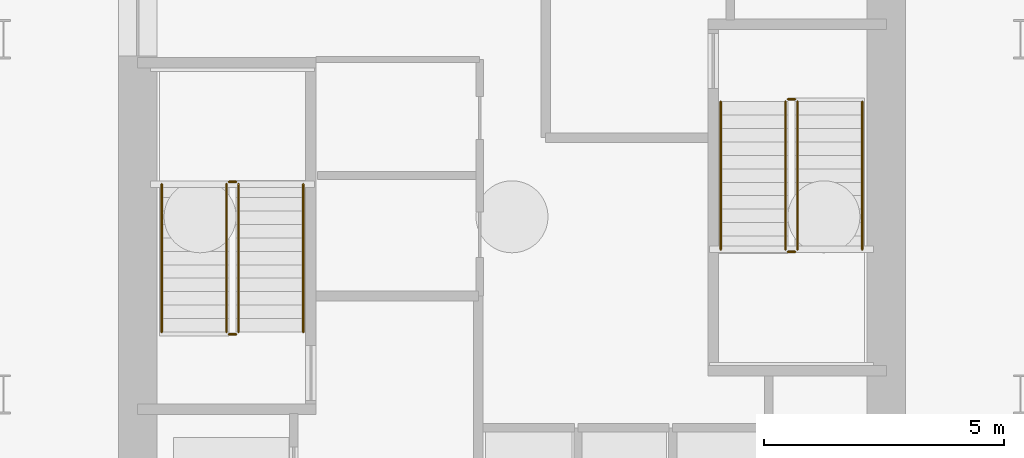
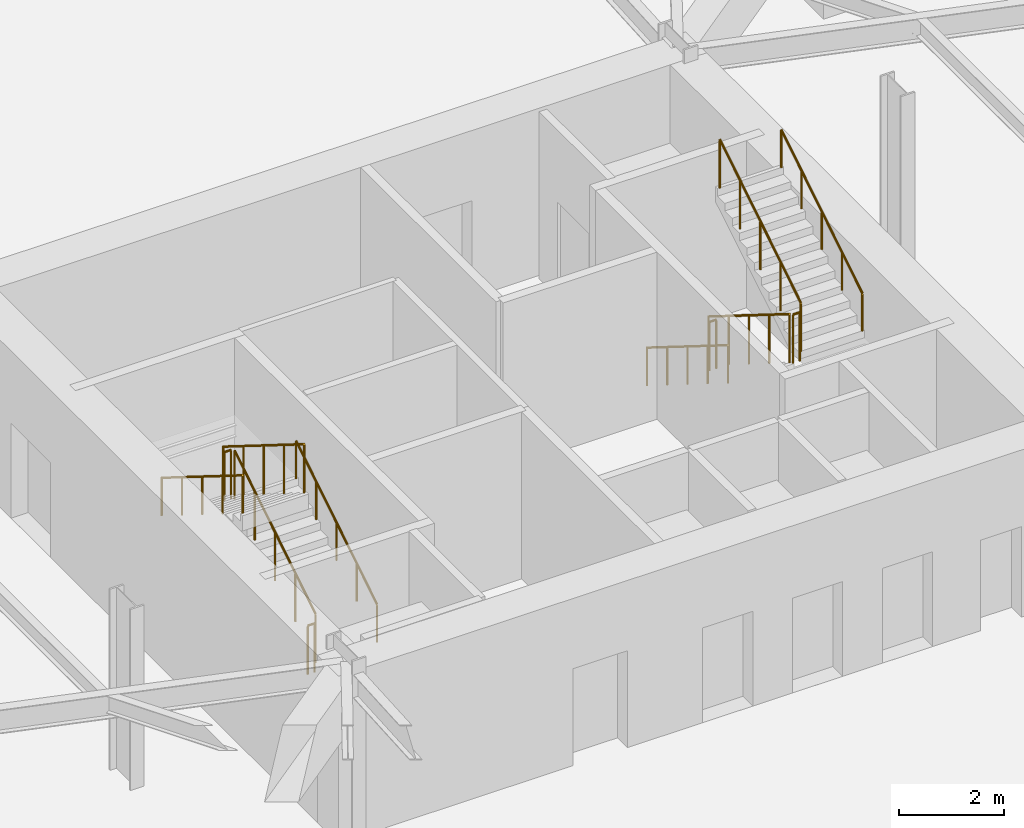
# One storey, part 16 of 18: 12 railings.
"""IFC4 building model written with IfcOpenShell, lengths in metres."""

from ifc_helpers import new_model, si_unit, direction, frame, origin, origin_2d, place, context, subcontext, project, spatial, circle, extrude, material, type_object, element, save


model = new_model("IFC4")

# Units and contexts
model_context = context("Model", 3, precision=1e-05, world=origin(), true_north=direction((0.0, 1.0)))
body_context = subcontext(model_context, "Body", "Model", "MODEL_VIEW")
ifc_project = project(units=[si_unit("LENGTHUNIT", "METRE"), si_unit("AREAUNIT", "SQUARE_METRE"), si_unit("VOLUMEUNIT", "CUBIC_METRE"), si_unit("PLANEANGLEUNIT", "RADIAN"), si_unit("MASSUNIT", "GRAM", prefix="KILO")], contexts=[model_context])

# Site, building, storey
site_placement = place(None, origin())
site = spatial("IfcSite", under=ifc_project, at=site_placement, CompositionType="ELEMENT")
building_placement = place(site_placement, origin())
building = spatial("IfcBuilding", under=site, at=building_placement, Name="Kranzbogen Civic Tower", CompositionType="ELEMENT")
storey_placement = place(building_placement, frame((0.0, 0.0, -8.39990234375)))
storey = spatial("IfcBuildingStorey", under=building, at=storey_placement, Name="B02", CompositionType="ELEMENT", Elevation=-8.39990234375)

# Railings
ifc_material_1 = material(Name="Steel S355", Category="steel")
railing_type_1 = type_object("IfcRailingType", Name="Internal Stair and Void Steel Guardrail 1150", PredefinedType="GUARDRAIL", material=ifc_material_1)
railing_1_placement = place(storey_placement, frame((19.300048828125, 22.60009765625, 0.1748046875)))
element("IfcRailing", 1, at=railing_1_placement, inside=storey, type_object=railing_type_1, Name="B02 ST-T1 stair guard 1", PredefinedType="GUARDRAIL", context=body_context, shape_type="SweptSolid", body=[
    extrude(circle(Radius=0.02392578125, at=origin_2d()), frame((0.0, 0.0, 1.1259765625), z_axis=(0.0, 0.847979421464, 0.530029150871), x_axis=(-1.0, 0.0, 0.0)), (0.0, 0.0, 1.0), 3.632080078125),
    extrude(circle(Radius=0.02099609375, at=origin_2d()), origin(), (0.0, 0.0, 1.0), 1.101806640625),
    extrude(circle(Radius=0.02099609375, at=origin_2d()), frame((0.0, 0.77001953125, 0.481201171875)), (0.0, 0.0, 1.0), 1.101806640625),
    extrude(circle(Radius=0.02099609375, at=origin_2d()), frame((0.0, 1.5400390625, 0.96240234375)), (0.0, 0.0, 1.0), 1.101806640625),
    extrude(circle(Radius=0.02099609375, at=origin_2d()), frame((0.0, 2.309814453125, 1.44384765625)), (0.0, 0.0, 1.0), 1.101806640625),
    extrude(circle(Radius=0.02099609375, at=origin_2d()), frame((0.0, 3.079833984375, 1.925048828125)), (0.0, 0.0, 1.0), 1.101806640625),
])
railing_2_placement = place(storey_placement, frame((19.25, 25.72998046875, 2.099853515625)))
element("IfcRailing", 2, at=railing_2_placement, inside=storey, type_object=railing_type_1, Name="B02 ST-T1 stair guard 2", PredefinedType="GUARDRAIL", context=body_context, shape_type="SweptSolid", body=[
    extrude(circle(Radius=0.02392578125, at=origin_2d()), frame((0.0, 0.0, 1.1259765625), z_axis=(-1.0, 0.0, 0.0), x_axis=(0.0, -1.0, 0.0)), (0.0, 0.0, 1.0), 0.14990234375),
    extrude(circle(Radius=0.02099609375, at=origin_2d()), origin(), (0.0, 0.0, 1.0), 1.101806640625),
    extrude(circle(Radius=0.02099609375, at=origin_2d()), frame((-0.14990234375, 0.0, 0.0)), (0.0, 0.0, 1.0), 1.101806640625),
])
railing_3_placement = place(storey_placement, frame((19.050048828125, 25.679931640625, 2.27490234375)))
element("IfcRailing", 3, at=railing_3_placement, inside=storey, type_object=railing_type_1, Name="B02 ST-T1 stair guard 3", PredefinedType="GUARDRAIL", context=body_context, shape_type="SweptSolid", body=[
    extrude(circle(Radius=0.02392578125, at=origin_2d()), frame((0.0, 0.0, 1.1259765625), z_axis=(0.0, -0.847979421464, 0.530029150871), x_axis=(1.0, 0.0, 0.0)), (0.0, 0.0, 1.0), 3.632080078125),
    extrude(circle(Radius=0.02099609375, at=origin_2d()), origin(), (0.0, 0.0, 1.0), 1.101806640625),
    extrude(circle(Radius=0.02099609375, at=origin_2d()), frame((0.0, -0.77001953125, 0.481201171875)), (0.0, 0.0, 1.0), 1.101806640625),
    extrude(circle(Radius=0.02099609375, at=origin_2d()), frame((0.0, -1.5400390625, 0.96240234375)), (0.0, 0.0, 1.0), 1.101806640625),
    extrude(circle(Radius=0.02099609375, at=origin_2d()), frame((0.0, -2.309814453125, 1.44384765625)), (0.0, 0.0, 1.0), 1.101806640625),
    extrude(circle(Radius=0.02099609375, at=origin_2d()), frame((0.0, -3.079833984375, 1.925048828125)), (0.0, 0.0, 1.0), 1.101806640625),
])
railing_4_placement = place(storey_placement, frame((19.25, 22.550048828125, 0.0)))
element("IfcRailing", 4, at=railing_4_placement, inside=storey, type_object=railing_type_1, Name="B02 ST-T1 stair guard 4", PredefinedType="GUARDRAIL", context=body_context, shape_type="SweptSolid", body=[
    extrude(circle(Radius=0.02392578125, at=origin_2d()), frame((0.0, 0.0, 1.1259765625), z_axis=(-1.0, 0.0, 0.0), x_axis=(0.0, -1.0, 0.0)), (0.0, 0.0, 1.0), 0.14990234375),
    extrude(circle(Radius=0.02099609375, at=origin_2d()), origin(), (0.0, 0.0, 1.0), 1.101806640625),
    extrude(circle(Radius=0.02099609375, at=origin_2d()), frame((-0.14990234375, 0.0, 0.0)), (0.0, 0.0, 1.0), 1.101806640625),
])
railing_5_placement = place(storey_placement, frame((30.699951171875, 27.39990234375, 0.1748046875)))
element("IfcRailing", 5, at=railing_5_placement, inside=storey, type_object=railing_type_1, Name="B02 ST-T2 stair guard 1", PredefinedType="GUARDRAIL", context=body_context, shape_type="SweptSolid", body=[
    extrude(circle(Radius=0.02392578125, at=origin_2d()), frame((0.0, 0.0, 1.1259765625), z_axis=(0.0, -0.847979421464, 0.530029150871), x_axis=(1.0, 0.0, 0.0)), (0.0, 0.0, 1.0), 3.632080078125),
    extrude(circle(Radius=0.02099609375, at=origin_2d()), origin(), (0.0, 0.0, 1.0), 1.101806640625),
    extrude(circle(Radius=0.02099609375, at=origin_2d()), frame((0.0, -0.77001953125, 0.481201171875)), (0.0, 0.0, 1.0), 1.101806640625),
    extrude(circle(Radius=0.02099609375, at=origin_2d()), frame((0.0, -1.5400390625, 0.96240234375)), (0.0, 0.0, 1.0), 1.101806640625),
    extrude(circle(Radius=0.02099609375, at=origin_2d()), frame((0.0, -2.309814453125, 1.44384765625)), (0.0, 0.0, 1.0), 1.101806640625),
    extrude(circle(Radius=0.02099609375, at=origin_2d()), frame((0.0, -3.079833984375, 1.925048828125)), (0.0, 0.0, 1.0), 1.101806640625),
])
railing_6_placement = place(storey_placement, frame((30.75, 24.27001953125, 2.099853515625)))
element("IfcRailing", 6, at=railing_6_placement, inside=storey, type_object=railing_type_1, Name="B02 ST-T2 stair guard 2", PredefinedType="GUARDRAIL", context=body_context, shape_type="SweptSolid", body=[
    extrude(circle(Radius=0.02392578125, at=origin_2d()), frame((0.0, 0.0, 1.1259765625), z_axis=(1.0, 0.0, 0.0), x_axis=(0.0, 1.0, 0.0)), (0.0, 0.0, 1.0), 0.14990234375),
    extrude(circle(Radius=0.02099609375, at=origin_2d()), origin(), (0.0, 0.0, 1.0), 1.101806640625),
    extrude(circle(Radius=0.02099609375, at=origin_2d()), frame((0.14990234375, 0.0, 0.0)), (0.0, 0.0, 1.0), 1.101806640625),
])
railing_7_placement = place(storey_placement, frame((30.949951171875, 24.320068359375, 2.27490234375)))
element("IfcRailing", 7, at=railing_7_placement, inside=storey, type_object=railing_type_1, Name="B02 ST-T2 stair guard 3", PredefinedType="GUARDRAIL", context=body_context, shape_type="SweptSolid", body=[
    extrude(circle(Radius=0.02392578125, at=origin_2d()), frame((0.0, 0.0, 1.1259765625), z_axis=(0.0, 0.847979421464, 0.530029150871), x_axis=(-1.0, 0.0, 0.0)), (0.0, 0.0, 1.0), 3.632080078125),
    extrude(circle(Radius=0.02099609375, at=origin_2d()), origin(), (0.0, 0.0, 1.0), 1.101806640625),
    extrude(circle(Radius=0.02099609375, at=origin_2d()), frame((0.0, 0.77001953125, 0.481201171875)), (0.0, 0.0, 1.0), 1.101806640625),
    extrude(circle(Radius=0.02099609375, at=origin_2d()), frame((0.0, 1.5400390625, 0.96240234375)), (0.0, 0.0, 1.0), 1.101806640625),
    extrude(circle(Radius=0.02099609375, at=origin_2d()), frame((0.0, 2.309814453125, 1.44384765625)), (0.0, 0.0, 1.0), 1.101806640625),
    extrude(circle(Radius=0.02099609375, at=origin_2d()), frame((0.0, 3.079833984375, 1.925048828125)), (0.0, 0.0, 1.0), 1.101806640625),
])
railing_8_placement = place(storey_placement, frame((30.75, 27.449951171875, 0.0)))
element("IfcRailing", 8, at=railing_8_placement, inside=storey, type_object=railing_type_1, Name="B02 ST-T2 stair guard 4", PredefinedType="GUARDRAIL", context=body_context, shape_type="SweptSolid", body=[
    extrude(circle(Radius=0.02392578125, at=origin_2d()), frame((0.0, 0.0, 1.1259765625), z_axis=(1.0, 0.0, 0.0), x_axis=(0.0, 1.0, 0.0)), (0.0, 0.0, 1.0), 0.14990234375),
    extrude(circle(Radius=0.02099609375, at=origin_2d()), origin(), (0.0, 0.0, 1.0), 1.101806640625),
    extrude(circle(Radius=0.02099609375, at=origin_2d()), frame((0.14990234375, 0.0, 0.0)), (0.0, 0.0, 1.0), 1.101806640625),
])
ifc_material_2 = material(Name="Pale Anodised Aluminium", Category="aluminium")
railing_type_2 = type_object("IfcRailingType", Name="Tubular Stainless Stair Wall Handrail 900", PredefinedType="HANDRAIL", material=ifc_material_2)
railing_9_placement = place(storey_placement, frame((20.64990234375, 22.60009765625, 0.1748046875)))
element("IfcRailing", 9, at=railing_9_placement, inside=storey, type_object=railing_type_2, Name="B02 ST-T1 stair handrail 1", PredefinedType="HANDRAIL", context=body_context, shape_type="SweptSolid", body=[
    extrude(circle(Radius=0.02392578125, at=origin_2d()), frame((0.0, 0.0, 0.8759765625), z_axis=(0.0, 0.847979421464, 0.530029150871), x_axis=(-1.0, 0.0, 0.0)), (0.0, 0.0, 1.0), 3.632080078125),
    extrude(circle(Radius=0.02099609375, at=origin_2d()), origin(), (0.0, 0.0, 1.0), 0.851806640625),
    extrude(circle(Radius=0.02099609375, at=origin_2d()), frame((0.0, 0.77001953125, 0.481201171875)), (0.0, 0.0, 1.0), 0.851806640625),
    extrude(circle(Radius=0.02099609375, at=origin_2d()), frame((0.0, 1.5400390625, 0.96240234375)), (0.0, 0.0, 1.0), 0.851806640625),
    extrude(circle(Radius=0.02099609375, at=origin_2d()), frame((0.0, 2.309814453125, 1.44384765625)), (0.0, 0.0, 1.0), 0.851806640625),
    extrude(circle(Radius=0.02099609375, at=origin_2d()), frame((0.0, 3.079833984375, 1.925048828125)), (0.0, 0.0, 1.0), 0.851806640625),
])
for number, where, name in (
    (10, (17.699951171875, 25.679931640625, 2.27490234375), "B02 ST-T1 stair handrail 2"),
    (11, (29.35009765625, 27.39990234375, 0.1748046875), "B02 ST-T2 stair handrail 1"),
):
    element("IfcRailing", number, at=place(storey_placement, frame(where)), inside=storey, type_object=railing_type_2, Name=name, PredefinedType="HANDRAIL", context=body_context, shape_type="SweptSolid", body=[
        extrude(circle(Radius=0.02392578125, at=origin_2d()), frame((0.0, 0.0, 0.8759765625), z_axis=(0.0, -0.847979421464, 0.530029150871), x_axis=(1.0, 0.0, 0.0)), (0.0, 0.0, 1.0), 3.632080078125),
        extrude(circle(Radius=0.02099609375, at=origin_2d()), origin(), (0.0, 0.0, 1.0), 0.851806640625),
        extrude(circle(Radius=0.02099609375, at=origin_2d()), frame((0.0, -0.77001953125, 0.481201171875)), (0.0, 0.0, 1.0), 0.851806640625),
        extrude(circle(Radius=0.02099609375, at=origin_2d()), frame((0.0, -1.5400390625, 0.96240234375)), (0.0, 0.0, 1.0), 0.851806640625),
        extrude(circle(Radius=0.02099609375, at=origin_2d()), frame((0.0, -2.309814453125, 1.44384765625)), (0.0, 0.0, 1.0), 0.851806640625),
        extrude(circle(Radius=0.02099609375, at=origin_2d()), frame((0.0, -3.079833984375, 1.925048828125)), (0.0, 0.0, 1.0), 0.851806640625),
    ])
railing_10_placement = place(storey_placement, frame((32.300048828125, 24.320068359375, 2.27490234375)))
element("IfcRailing", 12, at=railing_10_placement, inside=storey, type_object=railing_type_2, Name="B02 ST-T2 stair handrail 2", PredefinedType="HANDRAIL", context=body_context, shape_type="SweptSolid", body=[
    extrude(circle(Radius=0.02392578125, at=origin_2d()), frame((0.0, 0.0, 0.8759765625), z_axis=(0.0, 0.847979421464, 0.530029150871), x_axis=(-1.0, 0.0, 0.0)), (0.0, 0.0, 1.0), 3.632080078125),
    extrude(circle(Radius=0.02099609375, at=origin_2d()), origin(), (0.0, 0.0, 1.0), 0.851806640625),
    extrude(circle(Radius=0.02099609375, at=origin_2d()), frame((0.0, 0.77001953125, 0.481201171875)), (0.0, 0.0, 1.0), 0.851806640625),
    extrude(circle(Radius=0.02099609375, at=origin_2d()), frame((0.0, 1.5400390625, 0.96240234375)), (0.0, 0.0, 1.0), 0.851806640625),
    extrude(circle(Radius=0.02099609375, at=origin_2d()), frame((0.0, 2.309814453125, 1.44384765625)), (0.0, 0.0, 1.0), 0.851806640625),
    extrude(circle(Radius=0.02099609375, at=origin_2d()), frame((0.0, 3.079833984375, 1.925048828125)), (0.0, 0.0, 1.0), 0.851806640625),
])

save(model, "model.ifc")
